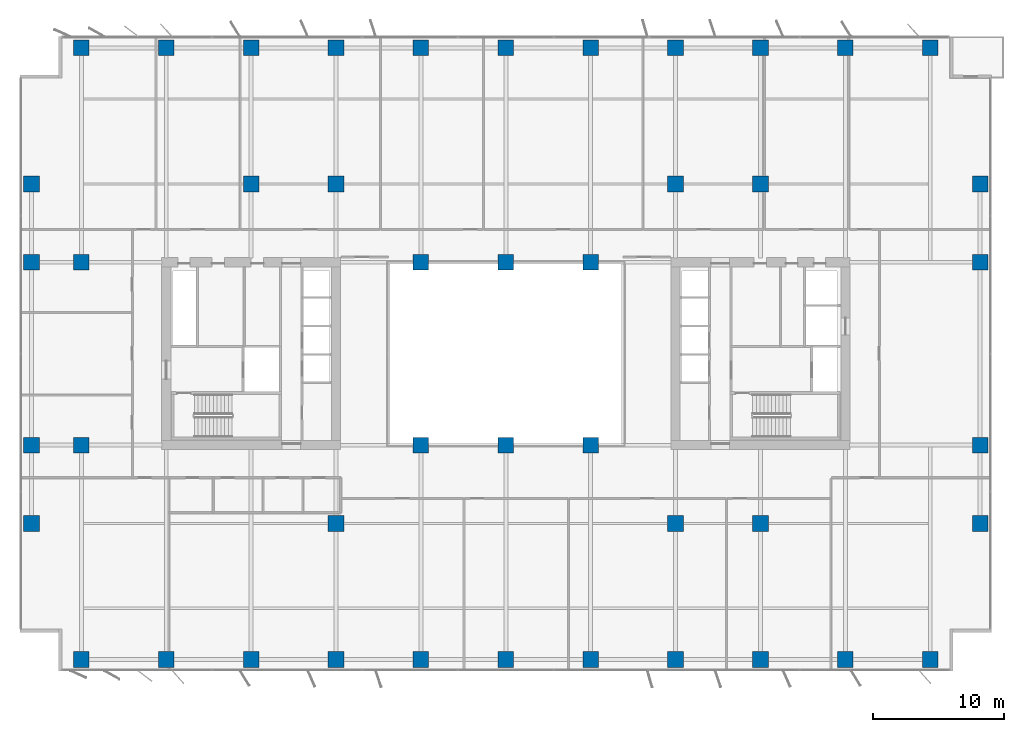
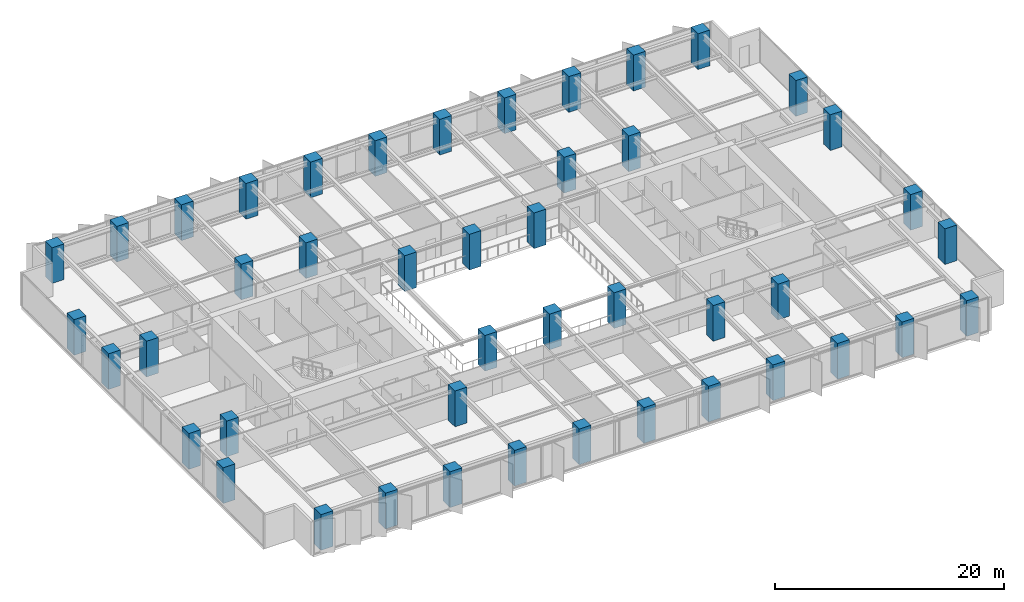
# One storey, part 1 of 20: 45 columns.
"""IFC4 building model written with IfcOpenShell, lengths in metres."""

from ifc_helpers import new_model, si_unit, direction, frame, origin, origin_2d, place, context, subcontext, project, spatial, rectangle, extrude, material, material_profile, profile_set, type_object, element, save


model = new_model("IFC4")

# Units and contexts
model_context = context("Model", 3, precision=1e-05, world=origin(), true_north=direction((0.0, 1.0)))
body_context = subcontext(model_context, "Body", "Model", "MODEL_VIEW")
ifc_project = project(units=[si_unit("LENGTHUNIT", "METRE"), si_unit("AREAUNIT", "SQUARE_METRE"), si_unit("VOLUMEUNIT", "CUBIC_METRE"), si_unit("PLANEANGLEUNIT", "RADIAN"), si_unit("MASSUNIT", "GRAM", prefix="KILO")], contexts=[model_context])

# Site, building, storey
site_placement = place(None, origin())
site = spatial("IfcSite", under=ifc_project, at=site_placement, CompositionType="ELEMENT")
building_placement = place(site_placement, origin())
building = spatial("IfcBuilding", under=site, at=building_placement, Name="Putna Gate Headquarters", CompositionType="ELEMENT")
storey_placement = place(building_placement, frame((0.0, 0.0, 124.0)))
storey = spatial("IfcBuildingStorey", under=building, at=storey_placement, Name="L30", CompositionType="ELEMENT", Elevation=124.0)

# Columns
ifc_material = material(Name="Concrete C60/75", Category="concrete")
ifc_material_profile_1 = material_profile(ifc_material, rectangle(XDim=1.199951171875, YDim=1.199951171875, at=origin_2d()), Name="Concrete C60/75")
ifc_profile_set_1 = profile_set([ifc_material_profile_1], Name="Concrete C60/75")
column_type_1 = type_object("IfcColumnType", Name="COL-RC1200-EXT", PredefinedType="COLUMN", material=ifc_profile_set_1)
for number, where, z_axis, x_axis, name in (
    (1, (6.5, 2.580078125, 0.0), (0.0, 0.0, 1.0), (1.0, 0.0, 0.0), "L30 Column CP-S6"),
    (2, (6.5, 49.419921875, 0.0), (0.0, 0.0, 1.0), (1.0, 0.0, 0.0), "L30 Column CP-N6"),
    (3, (13.0, 2.580078125, 0.0), (0.0, 0.0, 1.0), (1.0, 0.0, 0.0), "L30 Column CP-S13"),
    (4, (13.0, 49.419921875, 0.0), (0.0, 0.0, 1.0), (1.0, 0.0, 0.0), "L30 Column CP-N13"),
    (5, (19.5, 2.580078125, 0.0), (0.0, 0.0, 1.0), (1.0, 0.0, 0.0), "L30 Column CP-S19"),
    (6, (19.5, 49.419921875, 0.0), (0.0, 0.0, 1.0), (1.0, 0.0, 0.0), "L30 Column CP-N19"),
    (7, (26.0, 2.580078125, 0.0), (0.0, 0.0, 1.0), (1.0, 0.0, 0.0), "L30 Column CP-S26"),
    (8, (26.0, 49.419921875, 0.0), (0.0, 0.0, 1.0), (1.0, 0.0, 0.0), "L30 Column CP-N26"),
    (9, (32.5, 2.580078125, 0.0), (0.0, 0.0, 1.0), (1.0, 0.0, 0.0), "L30 Column CP-S32"),
    (10, (32.5, 49.419921875, 0.0), (0.0, 0.0, 1.0), (1.0, 0.0, 0.0), "L30 Column CP-N32"),
    (11, (39.0, 2.580078125, 0.0), (0.0, 0.0, 1.0), (1.0, 0.0, 0.0), "L30 Column CP-S39"),
    (12, (39.0, 49.419921875, 0.0), (0.0, 0.0, 1.0), (1.0, 0.0, 0.0), "L30 Column CP-N39"),
    (13, (45.5, 2.580078125, 0.0), (0.0, 0.0, 1.0), (1.0, 0.0, 0.0), "L30 Column CP-S45"),
    (14, (45.5, 49.419921875, 0.0), (0.0, 0.0, 1.0), (1.0, 0.0, 0.0), "L30 Column CP-N45"),
    (15, (52.0, 2.580078125, 0.0), (0.0, 0.0, 1.0), (1.0, 0.0, 0.0), "L30 Column CP-S52"),
    (16, (52.0, 49.419921875, 0.0), (0.0, 0.0, 1.0), (1.0, 0.0, 0.0), "L30 Column CP-N52"),
    (17, (58.5, 2.580078125, 0.0), (0.0, 0.0, 1.0), (1.0, 0.0, 0.0), "L30 Column CP-S58"),
    (18, (58.5, 49.419921875, 0.0), (0.0, 0.0, 1.0), (1.0, 0.0, 0.0), "L30 Column CP-N58"),
    (19, (65.0, 2.580078125, 0.0), (0.0, 0.0, 1.0), (1.0, 0.0, 0.0), "L30 Column CP-S65"),
    (20, (65.0, 49.419921875, 0.0), (0.0, 0.0, 1.0), (1.0, 0.0, 0.0), "L30 Column CP-N65"),
    (21, (71.5, 2.580078125, 0.0), (0.0, 0.0, 1.0), (1.0, 0.0, 0.0), "L30 Column CP-S71"),
    (22, (71.5, 49.419921875, 0.0), (0.0, 0.0, 1.0), (1.0, 0.0, 0.0), "L30 Column CP-N71"),
    (23, (2.679931640625, 13.0, 0.0), (0.0, 0.0, 1.0), (1.0, 0.0, 0.0), "L30 Column CP-W13"),
    (24, (75.320068359375, 13.0, 0.0), (0.0, 0.0, 1.0), (1.0, 0.0, 0.0), "L30 Column CP-E13"),
    (25, (2.679931640625, 19.0, 0.0), (0.0, 0.0, 1.0), (1.0, 0.0, 0.0), "L30 Column CP-W19"),
    (26, (75.320068359375, 19.0, 0.0), (0.0, 0.0, 1.0), (1.0, 0.0, 0.0), "L30 Column CP-E19"),
    (27, (2.679931640625, 33.0, 0.0), (0.0, 0.0, 1.0), (1.0, 0.0, 0.0), "L30 Column CP-W33"),
    (28, (75.320068359375, 33.0, 0.0), (0.0, 0.0, 1.0), (1.0, 0.0, 0.0), "L30 Column CP-E33"),
    (29, (2.679931640625, 39.0, 0.0), (0.0, 0.0, 1.0), (1.0, 0.0, 0.0), "L30 Column CP-W39"),
    (30, (75.320068359375, 39.0, 0.0), (0.0, 0.0, 1.0), (1.0, 0.0, 0.0), "L30 Column CP-E39"),
):
    element("IfcColumn", number, at=place(storey_placement, frame(where, z_axis=z_axis, x_axis=x_axis)), inside=storey, type_object=column_type_1, Name=name, PredefinedType="COLUMN", context=body_context, shape_type="SweptSolid", body=[
        extrude(rectangle(XDim=1.199951171875, YDim=1.199951171875, at=origin_2d()), origin(), (0.0, 0.0, 1.0), 3.800048828125),
    ])
ifc_material_profile_2 = material_profile(ifc_material, rectangle(XDim=1.199951171875, YDim=1.199951171875, at=origin_2d()), Name="Concrete C60/75")
ifc_profile_set_2 = profile_set([ifc_material_profile_2], Name="Concrete C60/75")
column_type_2 = type_object("IfcColumnType", Name="COL-RC1200-INT", PredefinedType="COLUMN", material=ifc_profile_set_2)
for number, where, z_axis, x_axis, name in (
    (31, (19.5, 39.0, 0.0), (0.0, 0.0, 1.0), (1.0, 0.0, 0.0), "L30 Column CSI-WN"),
    (32, (58.5, 13.0, 0.0), (0.0, 0.0, 1.0), (1.0, 0.0, 0.0), "L30 Column CSI-ES"),
    (33, (58.5, 39.0, 0.0), (0.0, 0.0, 1.0), (1.0, 0.0, 0.0), "L30 Column CSI-EN"),
    (34, (6.5, 19.0, 0.0), (0.0, 0.0, 1.0), (1.0, 0.0, 0.0), "L30 Column CSI-WM"),
    (35, (6.5, 33.0, 0.0), (0.0, 0.0, 1.0), (1.0, 0.0, 0.0), "L30 Column CSI-WNW"),
    (36, (32.5, 19.0, 0.0), (0.0, 0.0, 1.0), (1.0, 0.0, 0.0), "L30 Column CAI-S32"),
    (37, (32.5, 33.0, 0.0), (0.0, 0.0, 1.0), (1.0, 0.0, 0.0), "L30 Column CAI-N32"),
    (38, (39.0, 19.0, 0.0), (0.0, 0.0, 1.0), (1.0, 0.0, 0.0), "L30 Column CAI-S39"),
    (39, (39.0, 33.0, 0.0), (0.0, 0.0, 1.0), (1.0, 0.0, 0.0), "L30 Column CAI-N39"),
    (40, (45.5, 19.0, 0.0), (0.0, 0.0, 1.0), (1.0, 0.0, 0.0), "L30 Column CAI-S45"),
    (41, (45.5, 33.0, 0.0), (0.0, 0.0, 1.0), (1.0, 0.0, 0.0), "L30 Column CAI-N45"),
    (42, (26.0, 13.0, 0.0), (0.0, 0.0, 1.0), (1.0, 0.0, 0.0), "L30 Column CAP-WS"),
    (43, (26.0, 39.0, 0.0), (0.0, 0.0, 1.0), (1.0, 0.0, 0.0), "L30 Column CAP-WN"),
    (44, (52.0, 13.0, 0.0), (0.0, 0.0, 1.0), (1.0, 0.0, 0.0), "L30 Column CAP-ES"),
    (45, (52.0, 39.0, 0.0), (0.0, 0.0, 1.0), (1.0, 0.0, 0.0), "L30 Column CAP-EN"),
):
    element("IfcColumn", number, at=place(storey_placement, frame(where, z_axis=z_axis, x_axis=x_axis)), inside=storey, type_object=column_type_2, Name=name, PredefinedType="COLUMN", context=body_context, shape_type="SweptSolid", body=[
        extrude(rectangle(XDim=1.199951171875, YDim=1.199951171875, at=origin_2d()), origin(), (0.0, 0.0, 1.0), 3.800048828125),
    ])

save(model, "model.ifc")
